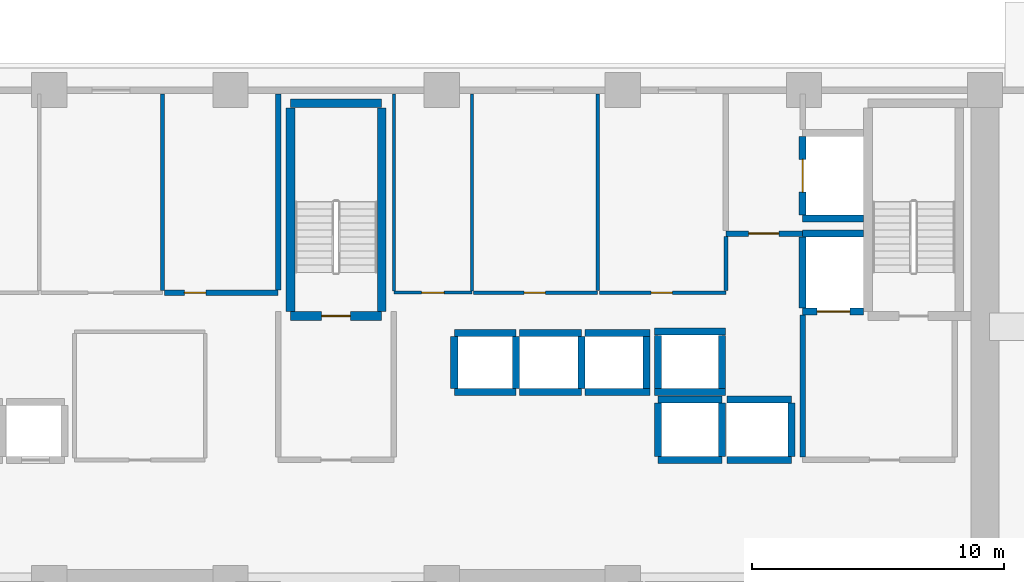
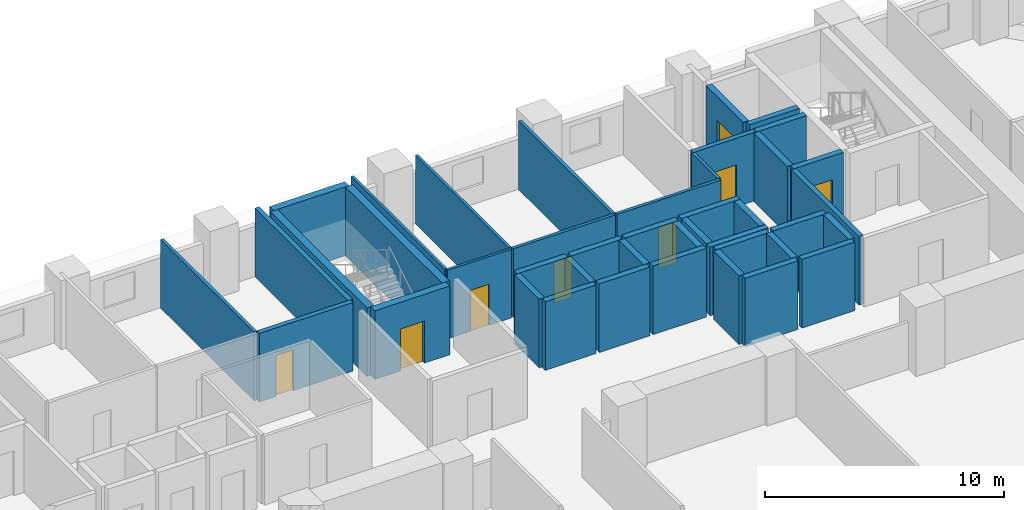
# One storey, part 10 of 17: 42 walls, 8 doors, 8 openings.
"""IFC4 building model written with IfcOpenShell, lengths in metres."""

from ifc_helpers import new_model, si_unit, direction, frame, frame_2d, origin, place, context, subcontext, project, spatial, rectangle, extrude, material, layer, layer_set, type_object, element, fill, save


model = new_model("IFC4")

# Units and contexts
model_context = context("Model", 3, precision=1e-05, world=origin(), true_north=direction((0.0, 1.0)))
body_context = subcontext(model_context, "Body", "Model", "MODEL_VIEW")
ifc_project = project(units=[si_unit("LENGTHUNIT", "METRE"), si_unit("AREAUNIT", "SQUARE_METRE"), si_unit("VOLUMEUNIT", "CUBIC_METRE"), si_unit("PLANEANGLEUNIT", "RADIAN"), si_unit("MASSUNIT", "GRAM", prefix="KILO")], contexts=[model_context])

# Site, building, storey
site_placement = place(None, origin())
site = spatial("IfcSite", under=ifc_project, at=site_placement, CompositionType="ELEMENT")
building_placement = place(site_placement, origin())
building = spatial("IfcBuilding", under=site, at=building_placement, Name="Kaelvorn Grand Hotel", CompositionType="ELEMENT")
storey_placement = place(building_placement, frame((0.0, 0.0, 31.39990234375)))
storey = spatial("IfcBuildingStorey", under=building, at=storey_placement, Name="L05", CompositionType="ELEMENT", Elevation=31.39990234375)

# Wall, opening, door
ifc_material_1 = material(Name="Moisture-Resistant Tile & Stud Board")
ifc_layer_1 = layer(ifc_material_1, 0.125)
ifc_layer_set_1 = layer_set([ifc_layer_1], Name="Moisture-Resistant Tile & Stud Board")
wall_type_1 = type_object("IfcWallType", Name="WL-PART-125-WET", PredefinedType="PARTITIONING", material=ifc_layer_set_1)
wall_1_placement = place(storey_placement, frame((44.300048828125, 40.949951171875, 0.0), z_axis=(0.0, 0.0, 1.0), x_axis=(1.0, 0.0, 0.0)))
wall_1 = element("IfcWall", 1, at=wall_1_placement, inside=storey, type_object=wall_type_1, Name="L05 Accessible WC S Partition", PredefinedType="PARTITIONING", context=body_context, shape_type="SweptSolid", body=[
    extrude(rectangle(XDim=3.099853515625, YDim=0.125, at=frame_2d((1.5498046875, 0.0))), origin(), (0.0, 0.0, 1.0), 3.510009765625),
])
opening_1_placement = place(wall_1_placement, frame((1.10009765625, 0.0, 0.0)))
opening_1 = element("IfcOpeningElement", 2, at=opening_1_placement, cuts=wall_1, Name="Opening DI4", PredefinedType="OPENING", context=body_context, shape_type="SweptSolid", body=[
    extrude(rectangle(XDim=0.89990234375, YDim=2.10009765625, at=frame_2d((0.449951171875, 1.050048828125))), frame((0.0, 0.072509765625, 0.0), z_axis=(0.0, -1.0, 0.0), x_axis=(1.0, 0.0, 0.0)), (0.0, 0.0, 1.0), 0.14501953125),
])
ifc_material_2 = material(Name="Timber Veneer Leaf", Category="wood")
door_type_1 = type_object("IfcDoorType", Name="DR-INT-BATH-900x2100", OperationType="NOTDEFINED", PredefinedType="DOOR", material=ifc_material_2)
door_1_placement = place(opening_1_placement, origin())
door_1 = element("IfcDoor", 3, at=door_1_placement, inside=storey, type_object=door_type_1, Name="L05 Accessible WC Door", OperationType="SINGLE_SWING_RIGHT", OverallHeight=2.10009765625, OverallWidth=0.89990234375, PredefinedType="DOOR", context=body_context, shape_type="SweptSolid", body=[
    extrude(rectangle(XDim=0.89990234375, YDim=2.10009765625, at=frame_2d((0.449951171875, 1.050048828125))), frame((0.0, 0.02490234375, 0.0), z_axis=(0.0, -1.0, 0.0), x_axis=(1.0, 0.0, 0.0)), (0.0, 0.0, 1.0), 0.050048828125),
])
fill(opening_1, door_1)

# Walls
for number, where, z_axis, x_axis, name in (
    (4, (44.300048828125, 41.017578125, 0.0), (0.0, 0.0, 1.0), (0.0, 1.0, 0.0), "L05 Accessible WC W Partition"),
    (5, (47.39990234375, 41.017578125, 0.0), (0.0, 0.0, 1.0), (0.0, 1.0, 0.0), "L05 Accessible WC E Partition"),
):
    element("IfcWall", number, at=place(storey_placement, frame(where, z_axis=z_axis, x_axis=x_axis)), inside=storey, type_object=wall_type_1, Name=name, PredefinedType="PARTITIONING", context=body_context, shape_type="SweptSolid", body=[
        extrude(rectangle(XDim=7.83251953125, YDim=0.125, at=frame_2d((3.916259765625, 0.0))), origin(), (0.0, 0.0, 1.0), 3.510009765625),
    ])
ifc_material_3 = material(Name="Acoustic Gypsum & Stud Partition")
ifc_layer_2 = layer(ifc_material_3, 0.14990234375)
ifc_layer_set_2 = layer_set([ifc_layer_2], Name="Acoustic Gypsum & Stud Partition")
wall_type_2 = type_object("IfcWallType", Name="WL-PART-150-EI60", PredefinedType="PARTITIONING", material=ifc_layer_set_2)
wall_2_placement = place(storey_placement, frame((35.10009765625, 41.030029296875, 0.0), z_axis=(0.0, 0.0, 1.0), x_axis=(0.0, 1.0, 0.0)))
element("IfcWall", 6, at=wall_2_placement, inside=storey, type_object=wall_type_2, Name="L05 Room Service Servery Pantry E Partition", PredefinedType="PARTITIONING", context=body_context, shape_type="SweptSolid", body=[
    extrude(rectangle(XDim=7.820068359375, YDim=0.14990234375, at=frame_2d((3.91015625, 0.0))), origin(), (0.0, 0.0, 1.0), 3.510009765625),
])

# Wall, opening, door
wall_3_placement = place(storey_placement, frame((47.467529296875, 40.949951171875, 0.0), z_axis=(0.0, 0.0, 1.0), x_axis=(1.0, 0.0, 0.0)))
wall_3 = element("IfcWall", 7, at=wall_3_placement, inside=storey, type_object=wall_type_2, Name="L05 Valet & Luggage Store S Partition", PredefinedType="PARTITIONING", context=body_context, shape_type="SweptSolid", body=[
    extrude(rectangle(XDim=4.932373046875, YDim=0.14990234375, at=frame_2d((2.46630859375, 0.0))), origin(), (0.0, 0.0, 1.0), 3.510009765625),
])
opening_2_placement = place(wall_3_placement, frame((2.007568359375, 0.0, 0.0)))
opening_2 = element("IfcOpeningElement", 8, at=opening_2_placement, cuts=wall_3, Name="Opening DI7", PredefinedType="OPENING", context=body_context, shape_type="SweptSolid", body=[
    extrude(rectangle(XDim=0.85009765625, YDim=2.10009765625, at=frame_2d((0.425048828125, 1.050048828125))), frame((0.0, 0.0849609375, 0.0), z_axis=(0.0, -1.0, 0.0), x_axis=(1.0, 0.0, 0.0)), (0.0, 0.0, 1.0), 0.169921875),
])
ifc_material_4 = material(Name="Powder-Coated Steel Leaf", Category="steel")
door_type_2 = type_object("IfcDoorType", Name="DR-INT-RISER-850x2100", OperationType="NOTDEFINED", PredefinedType="DOOR", material=ifc_material_4)
door_2_placement = place(opening_2_placement, origin())
door_2 = element("IfcDoor", 9, at=door_2_placement, inside=storey, type_object=door_type_2, Name="L05 Valet & Luggage Store Door", OperationType="SINGLE_SWING_LEFT", OverallHeight=2.10009765625, OverallWidth=0.85009765625, PredefinedType="DOOR", context=body_context, shape_type="SweptSolid", body=[
    extrude(rectangle(XDim=0.85009765625, YDim=2.10009765625, at=frame_2d((0.425048828125, 1.050048828125))), frame((0.0, 0.02490234375, 0.0), z_axis=(0.0, -1.0, 0.0), x_axis=(1.0, 0.0, 0.0)), (0.0, 0.0, 1.0), 0.050048828125),
])
fill(opening_2, door_2)

# Wall
wall_4_placement = place(storey_placement, frame((52.39990234375, 41.030029296875, 0.0), z_axis=(0.0, 0.0, 1.0), x_axis=(0.0, 1.0, 0.0)))
element("IfcWall", 10, at=wall_4_placement, inside=storey, type_object=wall_type_2, Name="L05 Valet & Luggage Store E Partition", PredefinedType="PARTITIONING", context=body_context, shape_type="SweptSolid", body=[
    extrude(rectangle(XDim=7.820068359375, YDim=0.14990234375, at=frame_2d((3.91015625, 0.0))), origin(), (0.0, 0.0, 1.0), 3.510009765625),
])

# Wall, opening, door
wall_5_placement = place(storey_placement, frame((52.47998046875, 40.949951171875, 0.0), z_axis=(0.0, 0.0, 1.0), x_axis=(1.0, 0.0, 0.0)))
wall_5 = element("IfcWall", 11, at=wall_5_placement, inside=storey, type_object=wall_type_2, Name="L05 Clean Utility & Amenity Store S Partition", PredefinedType="PARTITIONING", context=body_context, shape_type="SweptSolid", body=[
    extrude(rectangle(XDim=5.02001953125, YDim=0.14990234375, at=frame_2d((2.510009765625, 0.0))), origin(), (0.0, 0.0, 1.0), 3.510009765625),
])
opening_3_placement = place(wall_5_placement, frame((2.044921875, 0.0, 0.0)))
opening_3 = element("IfcOpeningElement", 12, at=opening_3_placement, cuts=wall_5, Name="Opening DI7", PredefinedType="OPENING", context=body_context, shape_type="SweptSolid", body=[
    extrude(rectangle(XDim=0.85009765625, YDim=2.10009765625, at=frame_2d((0.425048828125, 1.050048828125))), frame((0.0, 0.0849609375, 0.0), z_axis=(0.0, -1.0, 0.0), x_axis=(1.0, 0.0, 0.0)), (0.0, 0.0, 1.0), 0.169921875),
])
door_3_placement = place(opening_3_placement, origin())
door_3 = element("IfcDoor", 13, at=door_3_placement, inside=storey, type_object=door_type_2, Name="L05 Clean Utility & Amenity Store Door", OperationType="SINGLE_SWING_RIGHT", OverallHeight=2.10009765625, OverallWidth=0.85009765625, PredefinedType="DOOR", context=body_context, shape_type="SweptSolid", body=[
    extrude(rectangle(XDim=0.85009765625, YDim=2.10009765625, at=frame_2d((0.425048828125, 1.050048828125))), frame((0.0, 0.02490234375, 0.0), z_axis=(0.0, -1.0, 0.0), x_axis=(1.0, 0.0, 0.0)), (0.0, 0.0, 1.0), 0.050048828125),
])
fill(opening_3, door_3)

# Walls
wall_6_placement = place(storey_placement, frame((57.5, 41.030029296875, 0.0), z_axis=(0.0, 0.0, 1.0), x_axis=(0.0, 1.0, 0.0)))
element("IfcWall", 14, at=wall_6_placement, inside=storey, type_object=wall_type_2, Name="L05 Clean Utility & Amenity Store E Partition", PredefinedType="PARTITIONING", context=body_context, shape_type="SweptSolid", body=[
    extrude(rectangle(XDim=2.155029296875, YDim=0.14990234375, at=frame_2d((1.07763671875, 0.0))), origin(), (0.0, 0.0, 1.0), 3.510009765625),
])
ifc_material_5 = material(Name="Concrete C40/50", Category="concrete")
ifc_layer_3 = layer(ifc_material_5, 0.219970703125)
ifc_layer_set_3 = layer_set([ifc_layer_3], Name="Concrete C40/50")
wall_type_3 = type_object("IfcWallType", Name="WL-PART-220-EI120", PredefinedType="PARTITIONING", material=ifc_layer_set_3)
wall_7_placement = place(storey_placement, frame((60.550048828125, 34.4150390625, 0.0), z_axis=(0.0, 0.0, 1.0), x_axis=(0.0, 1.0, 0.0)))
element("IfcWall", 15, at=wall_7_placement, inside=storey, type_object=wall_type_3, Name="L05 Firefighting Lift Lobby 2 W Partition", PredefinedType="PARTITIONING", context=body_context, shape_type="SweptSolid", body=[
    extrude(rectangle(XDim=5.639892578125, YDim=0.219970703125, at=frame_2d((2.81982421875, 0.0))), origin(), (0.0, 0.0, 1.0), 3.510009765625),
])

# Wall, opening, door
wall_8_placement = place(storey_placement, frame((57.5, 43.300048828125, 0.0), z_axis=(0.0, 0.0, 1.0), x_axis=(1.0, 0.0, 0.0)))
wall_8 = element("IfcWall", 16, at=wall_8_placement, inside=storey, type_object=wall_type_3, Name="L05 Service Lift Lobby S Partition", PredefinedType="PARTITIONING", context=body_context, shape_type="SweptSolid", body=[
    extrude(rectangle(XDim=3.0400390625, YDim=0.219970703125, at=frame_2d((1.52001953125, 0.0))), origin(), (0.0, 0.0, 1.0), 3.510009765625),
])
opening_4_placement = place(wall_8_placement, frame((0.89990234375, 0.0, 0.0)))
opening_4 = element("IfcOpeningElement", 17, at=opening_4_placement, cuts=wall_8, Name="Opening DI2", PredefinedType="OPENING", context=body_context, shape_type="SweptSolid", body=[
    extrude(rectangle(XDim=1.199951171875, YDim=2.14990234375, at=frame_2d((0.60009765625, 1.074951171875))), frame((0.0, 0.1201171875, 0.0), z_axis=(0.0, -1.0, 0.0), x_axis=(1.0, 0.0, 0.0)), (0.0, 0.0, 1.0), 0.239990234375),
])
ifc_material_6 = material(Name="Timber Veneer Fire Leaf", Category="wood")
door_type_3 = type_object("IfcDoorType", Name="DR-INT-FFLOB-1200x2150", OperationType="NOTDEFINED", PredefinedType="DOOR", material=ifc_material_6)
door_4_placement = place(opening_4_placement, origin())
door_4 = element("IfcDoor", 18, at=door_4_placement, inside=storey, type_object=door_type_3, Name="L05 Service Lift Lobby Door", OperationType="SINGLE_SWING_LEFT", OverallHeight=2.14990234375, OverallWidth=1.199951171875, PredefinedType="DOOR", context=body_context, shape_type="SweptSolid", body=[
    extrude(rectangle(XDim=1.199951171875, YDim=2.14990234375, at=frame_2d((0.60009765625, 1.074951171875))), frame((0.0, 0.02490234375, 0.0), z_axis=(0.0, -1.0, 0.0), x_axis=(1.0, 0.0, 0.0)), (0.0, 0.0, 1.0), 0.050048828125),
])
fill(opening_4, door_4)

wall_9_placement = place(storey_placement, frame((35.179931640625, 40.949951171875, 0.0), z_axis=(0.0, 0.0, 1.0), x_axis=(1.0, 0.0, 0.0)))
wall_9 = element("IfcWall", 19, at=wall_9_placement, inside=storey, type_object=wall_type_3, Name="L05 Floor Electrical Switchroom S Partition", PredefinedType="PARTITIONING", context=body_context, shape_type="SweptSolid", body=[
    extrude(rectangle(XDim=4.52001953125, YDim=0.219970703125, at=frame_2d((2.260009765625, 0.0))), origin(), (0.0, 0.0, 1.0), 3.510009765625),
])
opening_5_placement = place(wall_9_placement, frame((0.794921875, 0.0, 0.0)))
opening_5 = element("IfcOpeningElement", 20, at=opening_5_placement, cuts=wall_9, Name="Opening DI7", PredefinedType="OPENING", context=body_context, shape_type="SweptSolid", body=[
    extrude(rectangle(XDim=0.85009765625, YDim=2.10009765625, at=frame_2d((0.425048828125, 1.050048828125))), frame((0.0, 0.1201171875, 0.0), z_axis=(0.0, -1.0, 0.0), x_axis=(1.0, 0.0, 0.0)), (0.0, 0.0, 1.0), 0.239990234375),
])
door_5_placement = place(opening_5_placement, origin())
door_5 = element("IfcDoor", 21, at=door_5_placement, inside=storey, type_object=door_type_2, Name="L05 Floor Electrical Switchroom Door", OperationType="SINGLE_SWING_LEFT", OverallHeight=2.10009765625, OverallWidth=0.85009765625, PredefinedType="DOOR", context=body_context, shape_type="SweptSolid", body=[
    extrude(rectangle(XDim=0.85009765625, YDim=2.10009765625, at=frame_2d((0.425048828125, 1.050048828125))), frame((0.0, 0.02490234375, 0.0), z_axis=(0.0, -1.0, 0.0), x_axis=(1.0, 0.0, 0.0)), (0.0, 0.0, 1.0), 0.050048828125),
])
fill(opening_5, door_5)

# Walls
wall_10_placement = place(storey_placement, frame((39.699951171875, 41.06494140625, 0.0), z_axis=(0.0, 0.0, 1.0), x_axis=(0.0, 1.0, 0.0)))
element("IfcWall", 22, at=wall_10_placement, inside=storey, type_object=wall_type_3, Name="L05 Floor Electrical Switchroom E Partition", PredefinedType="PARTITIONING", context=body_context, shape_type="SweptSolid", body=[
    extrude(rectangle(XDim=7.78515625, YDim=0.219970703125, at=frame_2d((3.892578125, 0.0))), origin(), (0.0, 0.0, 1.0), 3.510009765625),
])
ifc_material_7 = material(Name="Concrete C50/60", Category="concrete")
ifc_layer_4 = layer(ifc_material_7, 0.280029296875)
ifc_layer_set_4 = layer_set([ifc_layer_4], Name="Concrete C50/60")
wall_type_4 = type_object("IfcWallType", Name="WL-SHAFT-280-C50", PredefinedType="SHEAR", material=ifc_layer_set_4)
for number, where, z_axis, x_axis, name in (
    (23, (46.699951171875, 37.0, 0.0), (0.0, 0.0, 1.0), (1.0, 0.0, 0.0), "L05 Lift SL-1 Shaft South Wall"),
    (24, (46.699951171875, 39.35009765625, 0.0), (0.0, 0.0, 1.0), (1.0, 0.0, 0.0), "L05 Lift SL-1 Shaft North Wall"),
):
    element("IfcWall", number, at=place(storey_placement, frame(where, z_axis=z_axis, x_axis=x_axis)), inside=storey, type_object=wall_type_4, Name=name, PredefinedType="SHEAR", context=body_context, shape_type="SweptSolid", body=[
        extrude(rectangle(XDim=2.449951171875, YDim=0.280029296875, at=frame_2d((1.22509765625, 0.0))), origin(), (0.0, 0.0, 1.0), 3.510009765625),
    ])
for number, where, z_axis, x_axis, name in (
    (25, (46.699951171875, 37.14501953125, 0.0), (0.0, 0.0, 1.0), (0.0, 1.0, 0.0), "L05 Lift SL-1 Shaft West Wall"),
    (26, (49.14990234375, 37.14501953125, 0.0), (0.0, 0.0, 1.0), (0.0, 1.0, 0.0), "L05 Lift SL-1 Shaft East Wall"),
):
    element("IfcWall", number, at=place(storey_placement, frame(where, z_axis=z_axis, x_axis=x_axis)), inside=storey, type_object=wall_type_4, Name=name, PredefinedType="SHEAR", context=body_context, shape_type="SweptSolid", body=[
        extrude(rectangle(XDim=2.06005859375, YDim=0.280029296875, at=frame_2d((1.030029296875, 0.0))), origin(), (0.0, 0.0, 1.0), 3.510009765625),
    ])
for number, where, z_axis, x_axis, name in (
    (27, (49.300048828125, 37.0, 0.0), (0.0, 0.0, 1.0), (1.0, 0.0, 0.0), "L05 Lift SL-2 Shaft South Wall"),
    (28, (49.300048828125, 39.35009765625, 0.0), (0.0, 0.0, 1.0), (1.0, 0.0, 0.0), "L05 Lift SL-2 Shaft North Wall"),
):
    element("IfcWall", number, at=place(storey_placement, frame(where, z_axis=z_axis, x_axis=x_axis)), inside=storey, type_object=wall_type_4, Name=name, PredefinedType="SHEAR", context=body_context, shape_type="SweptSolid", body=[
        extrude(rectangle(XDim=2.449951171875, YDim=0.280029296875, at=frame_2d((1.22509765625, 0.0))), origin(), (0.0, 0.0, 1.0), 3.510009765625),
    ])
wall_11_placement = place(storey_placement, frame((51.75, 37.14501953125, 0.0), z_axis=(0.0, 0.0, 1.0), x_axis=(0.0, 1.0, 0.0)))
element("IfcWall", 29, at=wall_11_placement, inside=storey, type_object=wall_type_4, Name="L05 Lift SL-2 Shaft East Wall", PredefinedType="SHEAR", context=body_context, shape_type="SweptSolid", body=[
    extrude(rectangle(XDim=2.06005859375, YDim=0.280029296875, at=frame_2d((1.030029296875, 0.0))), origin(), (0.0, 0.0, 1.0), 3.510009765625),
])
for number, where, z_axis, x_axis, name in (
    (30, (51.89990234375, 37.0, 0.0), (0.0, 0.0, 1.0), (1.0, 0.0, 0.0), "L05 Lift SL-3 Shaft South Wall"),
    (31, (51.89990234375, 39.35009765625, 0.0), (0.0, 0.0, 1.0), (1.0, 0.0, 0.0), "L05 Lift SL-3 Shaft North Wall"),
):
    element("IfcWall", number, at=place(storey_placement, frame(where, z_axis=z_axis, x_axis=x_axis)), inside=storey, type_object=wall_type_4, Name=name, PredefinedType="SHEAR", context=body_context, shape_type="SweptSolid", body=[
        extrude(rectangle(XDim=2.590087890625, YDim=0.280029296875, at=frame_2d((1.294921875, 0.0))), origin(), (0.0, 0.0, 1.0), 3.510009765625),
    ])
wall_12_placement = place(storey_placement, frame((54.35009765625, 37.14501953125, 0.0), z_axis=(0.0, 0.0, 1.0), x_axis=(0.0, 1.0, 0.0)))
element("IfcWall", 32, at=wall_12_placement, inside=storey, type_object=wall_type_4, Name="L05 Lift SL-3 Shaft East Wall", PredefinedType="SHEAR", context=body_context, shape_type="SweptSolid", body=[
    extrude(rectangle(XDim=2.06005859375, YDim=0.280029296875, at=frame_2d((1.030029296875, 0.0))), origin(), (0.0, 0.0, 1.0), 3.510009765625),
])
for number, where, z_axis, x_axis, name in (
    (33, (54.800048828125, 34.300048828125, 0.0), (0.0, 0.0, 1.0), (1.0, 0.0, 0.0), "L05 Lift OL-1 Shaft South Wall"),
    (34, (54.800048828125, 36.699951171875, 0.0), (0.0, 0.0, 1.0), (1.0, 0.0, 0.0), "L05 Lift OL-1 Shaft North Wall"),
):
    element("IfcWall", number, at=place(storey_placement, frame(where, z_axis=z_axis, x_axis=x_axis)), inside=storey, type_object=wall_type_4, Name=name, PredefinedType="SHEAR", context=body_context, shape_type="SweptSolid", body=[
        extrude(rectangle(XDim=2.550048828125, YDim=0.280029296875, at=frame_2d((1.27490234375, 0.0))), origin(), (0.0, 0.0, 1.0), 3.510009765625),
    ])
for number, where, z_axis, x_axis, name in (
    (35, (54.800048828125, 34.445068359375, 0.0), (0.0, 0.0, 1.0), (0.0, 1.0, 0.0), "L05 Lift OL-1 Shaft West Wall"),
    (36, (57.35009765625, 34.445068359375, 0.0), (0.0, 0.0, 1.0), (0.0, 1.0, 0.0), "L05 Lift OL-1 Shaft East Wall"),
):
    element("IfcWall", number, at=place(storey_placement, frame(where, z_axis=z_axis, x_axis=x_axis)), inside=storey, type_object=wall_type_4, Name=name, PredefinedType="SHEAR", context=body_context, shape_type="SweptSolid", body=[
        extrude(rectangle(XDim=2.10986328125, YDim=0.280029296875, at=frame_2d((1.054931640625, 0.0))), origin(), (0.0, 0.0, 1.0), 3.510009765625),
    ])
for number, where, z_axis, x_axis, name in (
    (37, (57.550048828125, 34.300048828125, 0.0), (0.0, 0.0, 1.0), (1.0, 0.0, 0.0), "L05 Lift OL-2 Shaft South Wall"),
    (38, (57.550048828125, 36.699951171875, 0.0), (0.0, 0.0, 1.0), (1.0, 0.0, 0.0), "L05 Lift OL-2 Shaft North Wall"),
):
    element("IfcWall", number, at=place(storey_placement, frame(where, z_axis=z_axis, x_axis=x_axis)), inside=storey, type_object=wall_type_4, Name=name, PredefinedType="SHEAR", context=body_context, shape_type="SweptSolid", body=[
        extrude(rectangle(XDim=2.550048828125, YDim=0.280029296875, at=frame_2d((1.27490234375, 0.0))), origin(), (0.0, 0.0, 1.0), 3.510009765625),
    ])
wall_13_placement = place(storey_placement, frame((60.10009765625, 34.445068359375, 0.0), z_axis=(0.0, 0.0, 1.0), x_axis=(0.0, 1.0, 0.0)))
element("IfcWall", 39, at=wall_13_placement, inside=storey, type_object=wall_type_4, Name="L05 Lift OL-2 Shaft East Wall", PredefinedType="SHEAR", context=body_context, shape_type="SweptSolid", body=[
    extrude(rectangle(XDim=2.10986328125, YDim=0.280029296875, at=frame_2d((1.054931640625, 0.0))), origin(), (0.0, 0.0, 1.0), 3.510009765625),
])
for number, where, z_axis, x_axis, name in (
    (40, (54.659912109375, 37.0, 0.0), (0.0, 0.0, 1.0), (1.0, 0.0, 0.0), "L05 Lift OL-3 Shaft South Wall"),
    (41, (54.659912109375, 39.39990234375, 0.0), (0.0, 0.0, 1.0), (1.0, 0.0, 0.0), "L05 Lift OL-3 Shaft North Wall"),
):
    element("IfcWall", number, at=place(storey_placement, frame(where, z_axis=z_axis, x_axis=x_axis)), inside=storey, type_object=wall_type_4, Name=name, PredefinedType="SHEAR", context=body_context, shape_type="SweptSolid", body=[
        extrude(rectangle(XDim=2.830078125, YDim=0.280029296875, at=frame_2d((1.4150390625, 0.0))), origin(), (0.0, 0.0, 1.0), 3.510009765625),
    ])
for number, where, z_axis, x_axis, name in (
    (42, (54.800048828125, 37.14501953125, 0.0), (0.0, 0.0, 1.0), (0.0, 1.0, 0.0), "L05 Lift OL-3 Shaft West Wall"),
    (43, (57.35009765625, 37.14501953125, 0.0), (0.0, 0.0, 1.0), (0.0, 1.0, 0.0), "L05 Lift OL-3 Shaft East Wall"),
):
    element("IfcWall", number, at=place(storey_placement, frame(where, z_axis=z_axis, x_axis=x_axis)), inside=storey, type_object=wall_type_4, Name=name, PredefinedType="SHEAR", context=body_context, shape_type="SweptSolid", body=[
        extrude(rectangle(XDim=2.10986328125, YDim=0.280029296875, at=frame_2d((1.054931640625, 0.0))), origin(), (0.0, 0.0, 1.0), 3.510009765625),
    ])

# Wall, opening, door
wall_14_placement = place(storey_placement, frame((60.550048828125, 40.199951171875, 0.0), z_axis=(0.0, 0.0, 1.0), x_axis=(1.0, 0.0, 0.0)))
wall_14 = element("IfcWall", 44, at=wall_14_placement, inside=storey, type_object=wall_type_4, Name="L05 Lift FFL2 Shaft South Wall", PredefinedType="SHEAR", context=body_context, shape_type="SweptSolid", body=[
    extrude(rectangle(XDim=2.4150390625, YDim=0.280029296875, at=frame_2d((1.20751953125, 0.0))), origin(), (0.0, 0.0, 1.0), 3.510009765625),
])
opening_6_placement = place(wall_14_placement, frame((0.574951171875, 0.0, 0.0)))
opening_6 = element("IfcOpeningElement", 45, at=opening_6_placement, cuts=wall_14, Name="Opening LD-FFL2", PredefinedType="OPENING", context=body_context, shape_type="SweptSolid", body=[
    extrude(rectangle(XDim=1.300048828125, YDim=2.300048828125, at=frame_2d((0.64990234375, 1.14990234375))), frame((0.0, 0.14990234375, 0.0), z_axis=(0.0, -1.0, 0.0), x_axis=(1.0, 0.0, 0.0)), (0.0, 0.0, 1.0), 0.300048828125),
])
ifc_material_8 = material(Name="Stainless Steel", Category="steel")
door_type_4 = type_object("IfcDoorType", Name="DR-LIFT-SERV-1300x2300", OperationType="DOUBLE_DOOR_SLIDING", PredefinedType="DOOR", material=ifc_material_8)
door_6_placement = place(opening_6_placement, origin())
door_6 = element("IfcDoor", 46, at=door_6_placement, inside=storey, type_object=door_type_4, Name="L05 Lift FFL2 Sliding Landing Door LD-FFL2", OperationType="DOUBLE_DOOR_SLIDING", OverallHeight=2.300048828125, OverallWidth=1.300048828125, PredefinedType="DOOR", context=body_context, shape_type="SweptSolid", body=[
    extrude(rectangle(XDim=1.300048828125, YDim=2.300048828125, at=frame_2d((0.64990234375, 1.14990234375))), frame((0.0, 0.02490234375, 0.0), z_axis=(0.0, -1.0, 0.0), x_axis=(1.0, 0.0, 0.0)), (0.0, 0.0, 1.0), 0.050048828125),
])
fill(opening_6, door_6)

# Walls
wall_15_placement = place(storey_placement, frame((60.550048828125, 43.300048828125, 0.0), z_axis=(0.0, 0.0, 1.0), x_axis=(1.0, 0.0, 0.0)))
element("IfcWall", 47, at=wall_15_placement, inside=storey, type_object=wall_type_4, Name="L05 Lift FFL2 Shaft North Wall", PredefinedType="SHEAR", context=body_context, shape_type="SweptSolid", body=[
    extrude(rectangle(XDim=2.4150390625, YDim=0.280029296875, at=frame_2d((1.20751953125, 0.0))), origin(), (0.0, 0.0, 1.0), 3.510009765625),
])
wall_16_placement = place(storey_placement, frame((60.550048828125, 40.344970703125, 0.0), z_axis=(0.0, 0.0, 1.0), x_axis=(0.0, 1.0, 0.0)))
element("IfcWall", 48, at=wall_16_placement, inside=storey, type_object=wall_type_4, Name="L05 Lift FFL2 Shaft West Wall", PredefinedType="SHEAR", context=body_context, shape_type="SweptSolid", body=[
    extrude(rectangle(XDim=2.81005859375, YDim=0.280029296875, at=frame_2d((1.405029296875, 0.0))), origin(), (0.0, 0.0, 1.0), 3.510009765625),
])
wall_17_placement = place(storey_placement, frame((60.550048828125, 43.89990234375, 0.0), z_axis=(0.0, 0.0, 1.0), x_axis=(1.0, 0.0, 0.0)))
element("IfcWall", 49, at=wall_17_placement, inside=storey, type_object=wall_type_4, Name="L05 Lift SV1 Shaft South Wall", PredefinedType="SHEAR", context=body_context, shape_type="SweptSolid", body=[
    extrude(rectangle(XDim=2.4150390625, YDim=0.280029296875, at=frame_2d((1.20751953125, 0.0))), origin(), (0.0, 0.0, 1.0), 3.510009765625),
])

# Wall, opening, door
wall_18_placement = place(storey_placement, frame((60.550048828125, 44.044921875, 0.0), z_axis=(0.0, 0.0, 1.0), x_axis=(0.0, 1.0, 0.0)))
wall_18 = element("IfcWall", 50, at=wall_18_placement, inside=storey, type_object=wall_type_4, Name="L05 Lift SV1 Shaft West Wall", PredefinedType="SHEAR", context=body_context, shape_type="SweptSolid", body=[
    extrude(rectangle(XDim=3.110107421875, YDim=0.280029296875, at=frame_2d((1.55517578125, 0.0))), origin(), (0.0, 0.0, 1.0), 3.510009765625),
])
opening_7_placement = place(wall_18_placement, frame((0.905029296875, 0.0, 0.0)))
opening_7 = element("IfcOpeningElement", 51, at=opening_7_placement, cuts=wall_18, Name="Opening LD-SV1", PredefinedType="OPENING", context=body_context, shape_type="SweptSolid", body=[
    extrude(rectangle(XDim=1.300048828125, YDim=2.300048828125, at=frame_2d((0.64990234375, 1.14990234375))), frame((0.0, 0.14990234375, 0.0), z_axis=(0.0, -1.0, 0.0), x_axis=(1.0, 0.0, 0.0)), (0.0, 0.0, 1.0), 0.300048828125),
])
door_7_placement = place(opening_7_placement, origin())
door_7 = element("IfcDoor", 52, at=door_7_placement, inside=storey, type_object=door_type_4, Name="L05 Lift SV1 Sliding Landing Door LD-SV1", OperationType="DOUBLE_DOOR_SLIDING", OverallHeight=2.300048828125, OverallWidth=1.300048828125, PredefinedType="DOOR", context=body_context, shape_type="SweptSolid", body=[
    extrude(rectangle(XDim=1.300048828125, YDim=2.300048828125, at=frame_2d((0.64990234375, 1.14990234375))), frame((0.0, 0.02490234375, 0.0), z_axis=(0.0, -1.0, 0.0), x_axis=(1.0, 0.0, 0.0)), (0.0, 0.0, 1.0), 0.050048828125),
])
fill(opening_7, door_7)

ifc_material_9 = material(Name="Concrete C60/75", Category="concrete")
ifc_layer_5 = layer(ifc_material_9, 0.35009765625)
ifc_layer_set_5 = layer_set([ifc_layer_5], Name="Concrete C60/75")
wall_type_5 = type_object("IfcWallType", Name="WL-SHAFT-350-C60", PredefinedType="SHEAR", material=ifc_layer_set_5)
wall_19_placement = place(storey_placement, frame((40.18505859375, 40.02490234375, 0.0), z_axis=(0.0, 0.0, 1.0), x_axis=(1.0, 0.0, 0.0)))
wall_19 = element("IfcWall", 53, at=wall_19_placement, inside=storey, type_object=wall_type_5, Name="L05 ST2 Stair Shaft South Wall", PredefinedType="SHEAR", context=body_context, shape_type="SweptSolid", body=[
    extrude(rectangle(XDim=3.6298828125, YDim=0.35009765625, at=frame_2d((1.81494140625, 0.0))), origin(), (0.0, 0.0, 1.0), 3.510009765625),
])
opening_8_placement = place(wall_19_placement, frame((1.239990234375, 0.0, 0.0)))
opening_8 = element("IfcOpeningElement", 54, at=opening_8_placement, cuts=wall_19, Name="Opening DI1", PredefinedType="OPENING", context=body_context, shape_type="SweptSolid", body=[
    extrude(rectangle(XDim=1.14990234375, YDim=2.14990234375, at=frame_2d((0.574951171875, 1.074951171875))), frame((0.0, 0.18505859375, 0.0), z_axis=(0.0, -1.0, 0.0), x_axis=(1.0, 0.0, 0.0)), (0.0, 0.0, 1.0), 0.3701171875),
])
door_type_5 = type_object("IfcDoorType", Name="DR-INT-STAIR-1150x2150", OperationType="NOTDEFINED", PredefinedType="DOOR", material=ifc_material_6)
door_8_placement = place(opening_8_placement, origin())
door_8 = element("IfcDoor", 55, at=door_8_placement, inside=storey, type_object=door_type_5, Name="L05 ST2 Exit Stair Fire Door", OperationType="SINGLE_SWING_RIGHT", OverallHeight=2.14990234375, OverallWidth=1.14990234375, PredefinedType="DOOR", context=body_context, shape_type="SweptSolid", body=[
    extrude(rectangle(XDim=1.14990234375, YDim=2.14990234375, at=frame_2d((0.574951171875, 1.074951171875))), frame((0.0, 0.02490234375, 0.0), z_axis=(0.0, -1.0, 0.0), x_axis=(1.0, 0.0, 0.0)), (0.0, 0.0, 1.0), 0.050048828125),
])
fill(opening_8, door_8)

# Walls
wall_20_placement = place(storey_placement, frame((40.18505859375, 48.47509765625, 0.0), z_axis=(0.0, 0.0, 1.0), x_axis=(1.0, 0.0, 0.0)))
element("IfcWall", 56, at=wall_20_placement, inside=storey, type_object=wall_type_5, Name="L05 ST2 Stair Shaft North Wall", PredefinedType="SHEAR", context=body_context, shape_type="SweptSolid", body=[
    extrude(rectangle(XDim=3.6298828125, YDim=0.35009765625, at=frame_2d((1.81494140625, 0.0))), origin(), (0.0, 0.0, 1.0), 3.510009765625),
])
for number, where, z_axis, x_axis, name in (
    (57, (40.18505859375, 40.205078125, 0.0), (0.0, 0.0, 1.0), (0.0, 1.0, 0.0), "L05 ST2 Stair Shaft West Wall"),
    (58, (43.81494140625, 40.205078125, 0.0), (0.0, 0.0, 1.0), (0.0, 1.0, 0.0), "L05 ST2 Stair Shaft East Wall"),
):
    element("IfcWall", number, at=place(storey_placement, frame(where, z_axis=z_axis, x_axis=x_axis)), inside=storey, type_object=wall_type_5, Name=name, PredefinedType="SHEAR", context=body_context, shape_type="SweptSolid", body=[
        extrude(rectangle(XDim=8.08984375, YDim=0.35009765625, at=frame_2d((4.044921875, 0.0))), origin(), (0.0, 0.0, 1.0), 3.510009765625),
    ])

save(model, "model.ifc")
